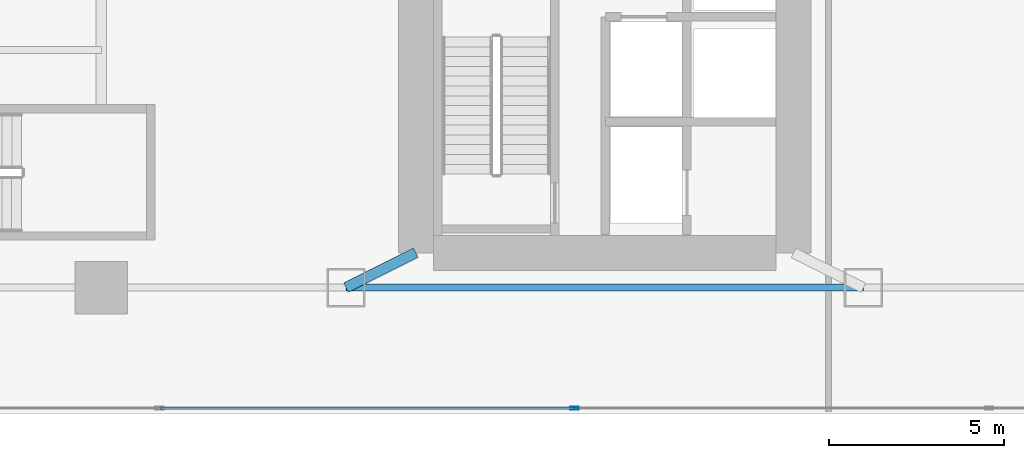
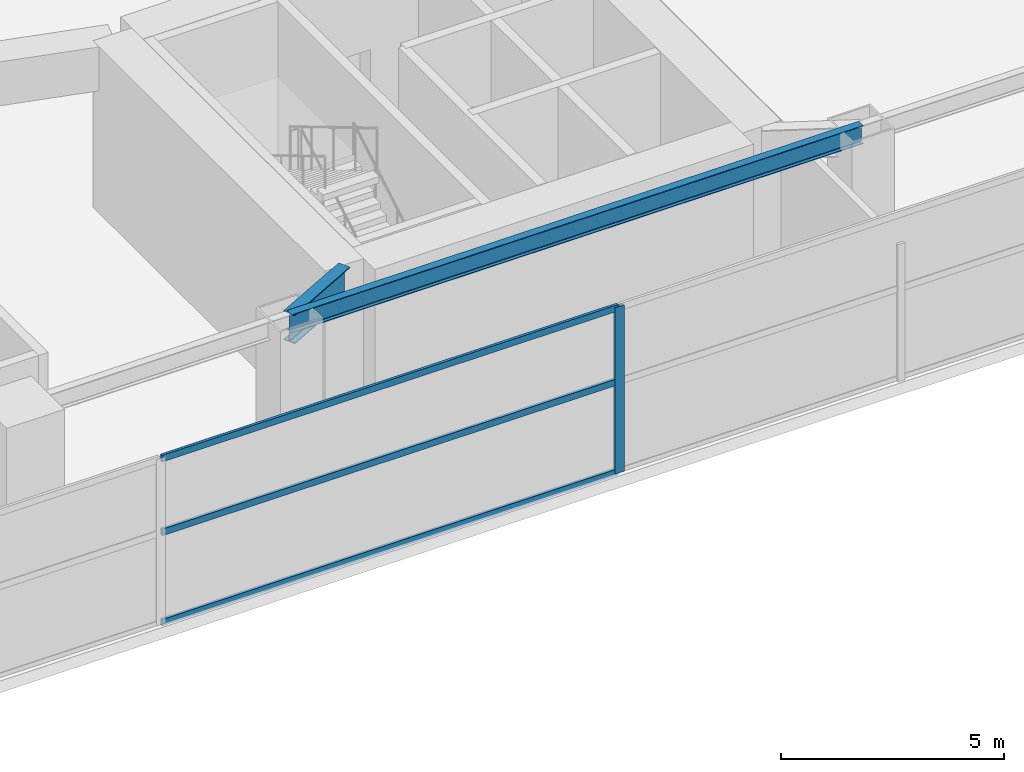
# One storey, part 7 of 30: 4 members, 2 beams, 1 element without a shape of its own.
"""IFC4 building model written with IfcOpenShell, lengths in metres."""

from ifc_helpers import new_model, si_unit, direction, frame, origin, origin_2d, place, context, subcontext, project, spatial, hollow_rectangle, i_section, extrude, material, layer, layer_set, material_profile, profile_set, type_object, element, aggregate, save


model = new_model("IFC4")

# Units and contexts
model_context = context("Model", 3, precision=1e-05, world=origin(), true_north=direction((0.0, 1.0)))
body_context = subcontext(model_context, "Body", "Model", "MODEL_VIEW")
ifc_project = project(units=[si_unit("LENGTHUNIT", "METRE"), si_unit("AREAUNIT", "SQUARE_METRE"), si_unit("VOLUMEUNIT", "CUBIC_METRE"), si_unit("PLANEANGLEUNIT", "RADIAN"), si_unit("MASSUNIT", "GRAM", prefix="KILO")], contexts=[model_context])

# Site, building, storey
site_placement = place(None, origin())
site = spatial("IfcSite", under=ifc_project, at=site_placement, CompositionType="ELEMENT")
building_placement = place(site_placement, origin())
building = spatial("IfcBuilding", under=site, at=building_placement, Name="Calvorn Quay Hotel", CompositionType="ELEMENT")
storey_placement = place(building_placement, frame((0.0, 0.0, 17.0)))
storey = spatial("IfcBuildingStorey", under=building, at=storey_placement, Name="L03", CompositionType="ELEMENT", Elevation=17.0)

# Beams
ifc_material_1 = material(Name="Steel Q390GJC", Category="steel")
ifc_material_profile_1 = material_profile(ifc_material_1, i_section(OverallWidth=0.300048828125, OverallDepth=0.800048828125, WebThickness=0.013916015625, FlangeThickness=0.02587890625, FilletRadius=0.02392578125, at=origin_2d()), Name="HN800x300x14x26")
ifc_profile_set_1 = profile_set([ifc_material_profile_1], Name="Steel Q390GJC")
beam_type_1 = type_object("IfcBeamType", Name="BM-GIRD-POD", PredefinedType="BEAM", material=ifc_profile_set_1)
beam_1_placement = place(storey_placement, frame((19.60009765625, 3.60009765625, 4.14990234375), z_axis=(0.894427191, 0.4472135955, 0.0), x_axis=(-0.4472135955, 0.894427191, 0.0)))
element("IfcBeam", 1, at=beam_1_placement, inside=storey, type_object=beam_type_1, Name="Beam BG-L03-S2", PredefinedType="BEAM", context=body_context, shape_type="SweptSolid", body=[
    extrude(i_section(OverallWidth=0.300048828125, OverallDepth=0.800048828125, WebThickness=0.013916015625, FlangeThickness=0.02587890625, FilletRadius=0.02392578125, at=origin_2d()), origin(), (0.0, 0.0, 1.0), 2.236083984375),
])
ifc_material_2 = material(Name="Steel Q355B", Category="steel")
ifc_material_profile_2 = material_profile(ifc_material_2, i_section(OverallWidth=0.199951171875, OverallDepth=0.5, WebThickness=0.010009765625, FlangeThickness=0.01611328125, FilletRadius=0.01611328125, at=origin_2d()), Name="HN500x200x10x16")
ifc_profile_set_2 = profile_set([ifc_material_profile_2], Name="Steel Q355B")
beam_type_2 = type_object("IfcBeamType", Name="BM-SPANDREL-Z1", PredefinedType="SPANDREL", material=ifc_profile_set_2)
beam_2_placement = place(storey_placement, frame((19.60009765625, 3.60009765625, 4.300048828125), z_axis=(1.0, 0.0, 0.0), x_axis=(0.0, 1.0, 0.0)))
element("IfcBeam", 2, at=beam_2_placement, inside=storey, type_object=beam_type_2, Name="Beam BSP-L03-S3", PredefinedType="SPANDREL", context=body_context, shape_type="SweptSolid", body=[
    extrude(i_section(OverallWidth=0.199951171875, OverallDepth=0.5, WebThickness=0.010009765625, FlangeThickness=0.01611328125, FilletRadius=0.01611328125, at=origin_2d()), origin(), (0.0, 0.0, 1.0), 14.7998046875),
])

# Curtain wall, members
ifc_material_3 = material(Name="Pale Anodised Aluminium and Low-E Glass", Category="aluminium")
ifc_layer = layer(ifc_material_3, 0.219970703125)
ifc_layer_set = layer_set([ifc_layer], Name="CW-SYS-POD")
curtain_wall_type = type_object("IfcCurtainWallType", Name="CW-SYS-POD", PredefinedType="NOTDEFINED", material=ifc_layer_set)
curtain_wall_placement = place(storey_placement, origin())
curtain_wall = element("IfcCurtainWall", 3, at=curtain_wall_placement, inside=storey, type_object=curtain_wall_type, Name="Podium Curtain Wall L03-S1", PredefinedType="NOTDEFINED")
ifc_material_4 = material(Name="Pale Anodised Aluminium 6063-T6", Category="aluminium")
ifc_material_profile_3 = material_profile(ifc_material_4, hollow_rectangle(XDim=0.080078125, YDim=0.239990234375, WallThickness=0.0048828125, at=origin_2d()), Name="ALU-M240x80x5")
ifc_profile_set_3 = profile_set([ifc_material_profile_3], Name="Pale Anodised Aluminium 6063-T6")
member_type_1 = type_object("IfcMemberType", Name="CW-SYS-POD-MUL", PredefinedType="MULLION", material=ifc_profile_set_3)
member_1_placement = place(storey_placement, frame((26.13330078125, 0.14990234375, 0.0), z_axis=(0.0, 0.0, 1.0), x_axis=(0.0, 1.0, 0.0)))
member_1 = element("IfcMember", 4, at=member_1_placement, type_object=member_type_1, Name="CW-L03-S1 mullion 3", PredefinedType="MULLION", context=body_context, shape_type="SweptSolid", body=[
    extrude(hollow_rectangle(XDim=0.080078125, YDim=0.239990234375, WallThickness=0.0048828125, at=origin_2d()), origin(), (0.0, 0.0, 1.0), 4.550048828125),
])
ifc_material_5 = material(Name="Pale Anodised Aluminium 6063-T6", Category="aluminium")
ifc_material_profile_4 = material_profile(ifc_material_5, hollow_rectangle(XDim=0.070068359375, YDim=0.179931640625, WallThickness=0.00390625, at=origin_2d()), Name="ALU-T180x70x4")
ifc_profile_set_4 = profile_set([ifc_material_profile_4], Name="Pale Anodised Aluminium 6063-T6")
member_type_2 = type_object("IfcMemberType", Name="CW-SYS-POD-TRN", PredefinedType="USERDEFINED", material=ifc_profile_set_4)
member_2_placement = place(storey_placement, frame((14.296630859375, 0.14990234375, 0.030029296875), z_axis=(1.0, 0.0, 0.0), x_axis=(0.0, 1.0, 0.0)))
member_2 = element("IfcMember", 5, at=member_2_placement, type_object=member_type_2, Name="CW-L03-S1 transom 2.1", ObjectType="TRANSOM", PredefinedType="USERDEFINED", context=body_context, shape_type="SweptSolid", body=[
    extrude(hollow_rectangle(XDim=0.070068359375, YDim=0.179931640625, WallThickness=0.00390625, at=origin_2d()), origin(), (0.0, 0.0, 1.0), 11.806640625),
])
member_3_placement = place(storey_placement, frame((14.296630859375, 0.14990234375, 2.5), z_axis=(1.0, 0.0, 0.0), x_axis=(0.0, 1.0, 0.0)))
member_3 = element("IfcMember", 6, at=member_3_placement, type_object=member_type_2, Name="CW-L03-S1 transom 2.2", ObjectType="TRANSOM", PredefinedType="USERDEFINED", context=body_context, shape_type="SweptSolid", body=[
    extrude(hollow_rectangle(XDim=0.070068359375, YDim=0.179931640625, WallThickness=0.00390625, at=origin_2d()), origin(), (0.0, 0.0, 1.0), 11.806640625),
])
member_4_placement = place(storey_placement, frame((14.296630859375, 0.14990234375, 4.52001953125), z_axis=(1.0, 0.0, 0.0), x_axis=(0.0, 1.0, 0.0)))
member_4 = element("IfcMember", 7, at=member_4_placement, type_object=member_type_2, Name="CW-L03-S1 transom 2.3", ObjectType="TRANSOM", PredefinedType="USERDEFINED", context=body_context, shape_type="SweptSolid", body=[
    extrude(hollow_rectangle(XDim=0.070068359375, YDim=0.179931640625, WallThickness=0.00390625, at=origin_2d()), origin(), (0.0, 0.0, 1.0), 11.806640625),
])
aggregate(curtain_wall, [member_1, member_2, member_3, member_4])

save(model, "model.ifc")
